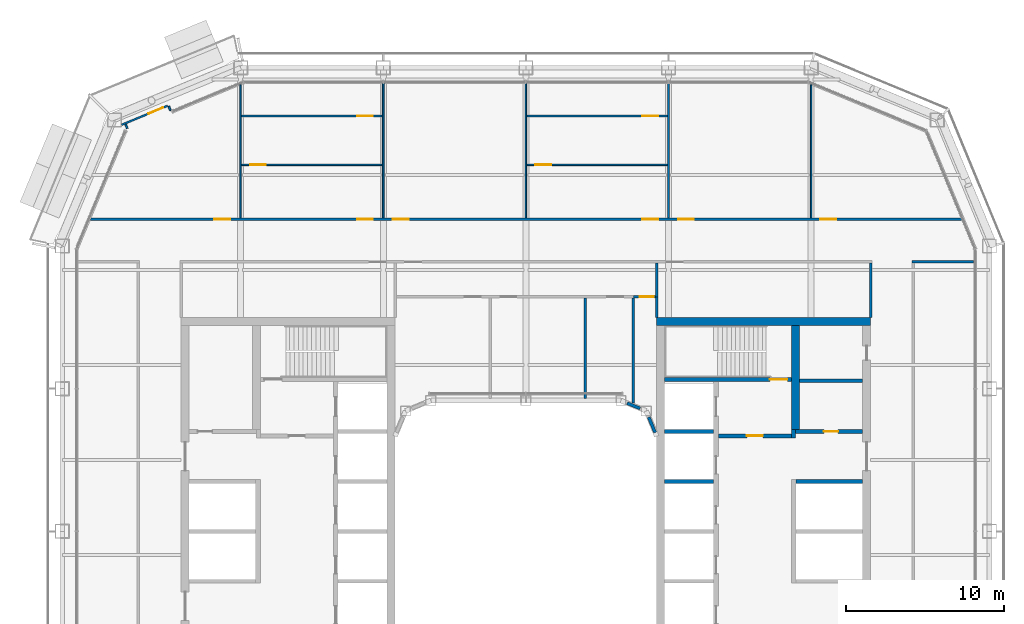
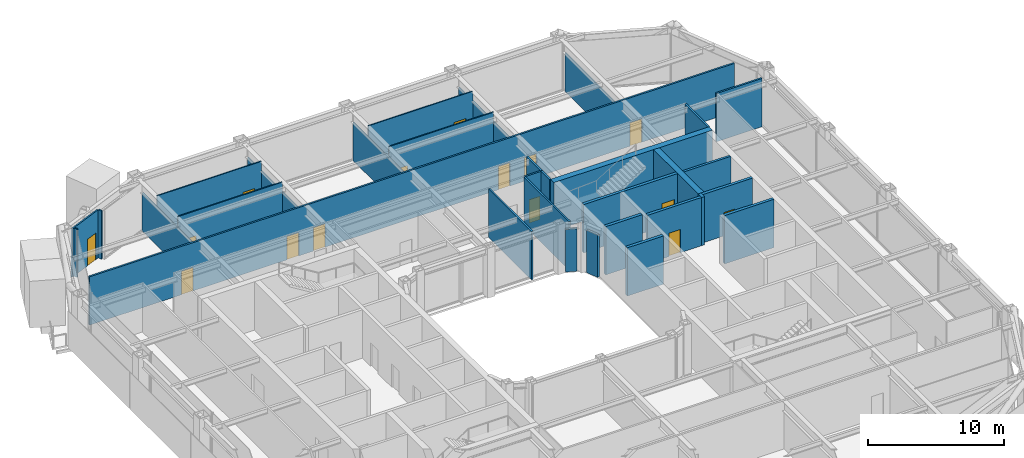
# One storey, part 14 of 23: 32 walls, 15 doors, 15 openings.
"""IFC4 building model written with IfcOpenShell, lengths in metres."""

from ifc_helpers import new_model, si_unit, direction, frame, frame_2d, origin, place, context, subcontext, project, spatial, rectangle, extrude, material, layer, layer_set, type_object, element, fill, save


model = new_model("IFC4")

# Units and contexts
model_context = context("Model", 3, precision=1e-05, world=origin(), true_north=direction((0.0, 1.0)))
body_context = subcontext(model_context, "Body", "Model", "MODEL_VIEW")
ifc_project = project(units=[si_unit("LENGTHUNIT", "METRE"), si_unit("AREAUNIT", "SQUARE_METRE"), si_unit("VOLUMEUNIT", "CUBIC_METRE"), si_unit("PLANEANGLEUNIT", "RADIAN"), si_unit("MASSUNIT", "GRAM", prefix="KILO")], contexts=[model_context])

# Site, building, storey
site_placement = place(None, origin())
site = spatial("IfcSite", under=ifc_project, at=site_placement, CompositionType="ELEMENT")
building_placement = place(site_placement, origin())
building = spatial("IfcBuilding", under=site, at=building_placement, Name="Siwar Civic Tower", CompositionType="ELEMENT")
storey_placement = place(building_placement, frame((0.0, 0.0, 154.199951171875)))
storey = spatial("IfcBuildingStorey", under=building, at=storey_placement, Name="L33", CompositionType="ELEMENT", Elevation=154.199951171875)

# Wall, opening, door
ifc_material_1 = material(Name="Gypsum board on steel studs", Category="steel")
ifc_layer_1 = layer(ifc_material_1, 0.14990234375)
ifc_layer_set_1 = layer_set([ifc_layer_1], Name="Gypsum board on steel studs")
wall_type_1 = type_object("IfcWallType", Name="COMPARTMENT PARTITION 150 EI 60", PredefinedType="PARTITIONING", material=ifc_layer_set_1)
wall_1_placement = place(storey_placement, frame((6.780029296875, 14.800048828125, 0.0), z_axis=(0.0, 0.0, 1.0), x_axis=(1.0, 0.0, 0.0)))
wall_1 = element("IfcWall", 1, at=wall_1_placement, inside=storey, type_object=wall_type_1, Name="L33/wall/P09", PredefinedType="PARTITIONING", context=body_context, shape_type="SweptSolid", body=[
    extrude(rectangle(XDim=1.39501953125, YDim=0.14990234375, at=frame_2d((0.697509765625, 0.0))), origin(), (0.0, 0.0, 1.0), 4.35009765625),
])
opening_1_placement = place(wall_1_placement, frame((0.39990234375, 0.0, 0.0)))
opening_1 = element("IfcOpeningElement", 2, at=opening_1_placement, cuts=wall_1, Name="Opening D4", PredefinedType="OPENING", context=body_context, shape_type="SweptSolid", body=[
    extrude(rectangle(XDim=0.89990234375, YDim=2.10009765625, at=frame_2d((0.449951171875, 1.050048828125))), frame((0.0, 0.0849609375, 0.0), z_axis=(0.0, -1.0, 0.0), x_axis=(1.0, 0.0, 0.0)), (0.0, 0.0, 1.0), 0.169921875),
])
ifc_material_2 = material(Name="Timber, painted", Category="wood")
door_type_1 = type_object("IfcDoorType", Name="DOOR 900 X 2100 FD60", OperationType="SINGLE_SWING_LEFT", PredefinedType="DOOR", material=ifc_material_2)
door_1_placement = place(opening_1_placement, origin())
door_1 = element("IfcDoor", 3, at=door_1_placement, inside=storey, type_object=door_type_1, Name="L33-D25", OperationType="SINGLE_SWING_LEFT", OverallHeight=2.10009765625, OverallWidth=0.89990234375, PredefinedType="DOOR", context=body_context, shape_type="SweptSolid", body=[
    extrude(rectangle(XDim=0.89990234375, YDim=2.10009765625, at=frame_2d((0.449951171875, 1.050048828125))), frame((0.0, 0.02490234375, 0.0), z_axis=(0.0, -1.0, 0.0), x_axis=(1.0, 0.0, 0.0)), (0.0, 0.0, 1.0), 0.050048828125),
])
fill(opening_1, door_1)

# Walls
wall_2_placement = place(storey_placement, frame((6.780029296875, 8.0869140625, 0.0), z_axis=(0.0, 0.0, 1.0), x_axis=(0.0, 1.0, 0.0)))
element("IfcWall", 4, at=wall_2_placement, inside=storey, type_object=wall_type_1, Name="L33/wall/P33", PredefinedType="PARTITIONING", context=body_context, shape_type="SweptSolid", body=[
    extrude(rectangle(XDim=6.63818359375, YDim=0.14990234375, at=frame_2d((3.319091796875, 0.0))), origin(), (0.0, 0.0, 1.0), 4.35009765625),
])
wall_3_placement = place(storey_placement, frame((8.25, 13.5, 0.0), z_axis=(0.0, 0.0, 1.0), x_axis=(0.0, 1.0, 0.0)))
element("IfcWall", 5, at=wall_3_placement, inside=storey, type_object=wall_type_1, Name="L33/wall/P36", PredefinedType="PARTITIONING", context=body_context, shape_type="SweptSolid", body=[
    extrude(rectangle(XDim=1.300048828125, YDim=0.14990234375, at=frame_2d((0.64990234375, 0.0))), origin(), (0.0, 0.0, 1.0), 4.35009765625),
])
ifc_material_3 = material(Name="Gypsum board on steel studs", Category="steel")
ifc_layer_2 = layer(ifc_material_3, 0.199951171875)
ifc_layer_set_2 = layer_set([ifc_layer_2], Name="Gypsum board on steel studs")
wall_type_2 = type_object("IfcWallType", Name="CORE-PARTITION-200", PredefinedType="PARTITIONING", material=ifc_layer_set_2)
wall_4_placement = place(storey_placement, frame((17.25, 9.5, 0.0), z_axis=(0.0, 0.0, 1.0), x_axis=(1.0, 0.0, 0.0)))
element("IfcWall", 6, at=wall_4_placement, inside=storey, type_object=wall_type_2, Name="Core partition E", PredefinedType="PARTITIONING", context=body_context, shape_type="SweptSolid", body=[
    extrude(rectangle(XDim=4.0, YDim=0.199951171875, at=frame_2d((2.0, 0.0))), origin(), (0.0, 0.0, 1.0), 4.35009765625),
])

# Wall, opening, door
ifc_material_4 = material(Name="Concrete C60/75", Category="concrete")
ifc_layer_3 = layer(ifc_material_4, 0.25)
ifc_layer_set_3 = layer_set([ifc_layer_3], Name="Concrete C60/75")
wall_type_3 = type_object("IfcWallType", Name="CORE-WALL-RC250", PredefinedType="SHEAR", material=ifc_layer_set_3)
wall_5_placement = place(storey_placement, frame((12.14990234375, 6.02490234375, 0.0), z_axis=(0.0, 0.0, 1.0), x_axis=(1.0, 0.0, 0.0)))
wall_5 = element("IfcWall", 7, at=wall_5_placement, inside=storey, type_object=wall_type_3, Name="Core wall E", PredefinedType="SHEAR", context=body_context, shape_type="SweptSolid", body=[
    extrude(rectangle(XDim=4.60009765625, YDim=0.25, at=frame_2d((2.300048828125, 0.0))), origin(), (0.0, 0.0, 1.0), 4.35009765625),
])
opening_2_placement = place(wall_5_placement, frame((1.800048828125, 0.0, 0.0)))
opening_2 = element("IfcOpeningElement", 8, at=opening_2_placement, cuts=wall_5, Name="Opening L33-CE01", PredefinedType="OPENING", context=body_context, shape_type="SweptSolid", body=[
    extrude(rectangle(XDim=1.0, YDim=2.10009765625, at=frame_2d((0.5, 1.050048828125))), frame((0.0, 0.135009765625, 0.0), z_axis=(0.0, -1.0, 0.0), x_axis=(1.0, 0.0, 0.0)), (0.0, 0.0, 1.0), 0.27001953125),
])
ifc_material_5 = material(Name="Steel door leaf", Category="steel")
door_type_2 = type_object("IfcDoorType", Name="CORE-DOOR-FD30S", OperationType="SINGLE_SWING_LEFT", PredefinedType="DOOR", material=ifc_material_5)
door_2_placement = place(opening_2_placement, origin())
door_2 = element("IfcDoor", 9, at=door_2_placement, inside=storey, type_object=door_type_2, Name="Firefighting lobby door L33-CE01", OperationType="SINGLE_SWING_RIGHT", OverallHeight=2.10009765625, OverallWidth=1.0, PredefinedType="DOOR", context=body_context, shape_type="SweptSolid", body=[
    extrude(rectangle(XDim=1.0, YDim=2.10009765625, at=frame_2d((0.5, 1.050048828125))), frame((0.0, 0.02490234375, 0.0), z_axis=(0.0, -1.0, 0.0), x_axis=(1.0, 0.0, 0.0)), (0.0, 0.0, 1.0), 0.050048828125),
])
fill(opening_2, door_2)

# Wall
wall_6_placement = place(storey_placement, frame((16.875, 5.89990234375, 0.0), z_axis=(0.0, 0.0, 1.0), x_axis=(0.0, 1.0, 0.0)))
element("IfcWall", 10, at=wall_6_placement, inside=storey, type_object=wall_type_3, Name="Core wall E", PredefinedType="SHEAR", context=body_context, shape_type="SweptSolid", body=[
    extrude(rectangle(XDim=0.525146484375, YDim=0.25, at=frame_2d((0.2626953125, 0.0))), origin(), (0.0, 0.0, 1.0), 4.35009765625),
])

# Wall, opening, door
wall_7_placement = place(storey_placement, frame((17.0, 6.300048828125, 0.0), z_axis=(0.0, 0.0, 1.0), x_axis=(1.0, 0.0, 0.0)))
wall_7 = element("IfcWall", 11, at=wall_7_placement, inside=storey, type_object=wall_type_3, Name="Core wall E", PredefinedType="SHEAR", context=body_context, shape_type="SweptSolid", body=[
    extrude(rectangle(XDim=4.25, YDim=0.25, at=frame_2d((2.125, 0.0))), origin(), (0.0, 0.0, 1.0), 4.35009765625),
])
opening_3_placement = place(wall_7_placement, frame((1.800048828125, 0.0, 0.0)))
opening_3 = element("IfcOpeningElement", 12, at=opening_3_placement, cuts=wall_7, Name="Opening L33-CE13", PredefinedType="OPENING", context=body_context, shape_type="SweptSolid", body=[
    extrude(rectangle(XDim=0.89990234375, YDim=2.10009765625, at=frame_2d((0.449951171875, 1.050048828125))), frame((0.0, 0.135009765625, 0.0), z_axis=(0.0, -1.0, 0.0), x_axis=(1.0, 0.0, 0.0)), (0.0, 0.0, 1.0), 0.27001953125),
])
ifc_material_6 = material(Name="Steel door leaf", Category="steel")
door_type_3 = type_object("IfcDoorType", Name="CORE-DOOR-ROOM", OperationType="SINGLE_SWING_LEFT", PredefinedType="DOOR", material=ifc_material_6)
door_3_placement = place(opening_3_placement, origin())
door_3 = element("IfcDoor", 13, at=door_3_placement, inside=storey, type_object=door_type_3, Name="Core room door L33-CE13", OperationType="SINGLE_SWING_RIGHT", OverallHeight=2.10009765625, OverallWidth=0.89990234375, PredefinedType="DOOR", context=body_context, shape_type="SweptSolid", body=[
    extrude(rectangle(XDim=0.89990234375, YDim=2.10009765625, at=frame_2d((0.449951171875, 1.050048828125))), frame((0.0, 0.02490234375, 0.0), z_axis=(0.0, -1.0, 0.0), x_axis=(1.0, 0.0, 0.0)), (0.0, 0.0, 1.0), 0.050048828125),
])
fill(opening_3, door_3)

# Walls
wall_8_placement = place(storey_placement, frame((17.050048828125, 3.14990234375, 0.0), z_axis=(0.0, 0.0, 1.0), x_axis=(1.0, 0.0, 0.0)))
element("IfcWall", 14, at=wall_8_placement, inside=storey, type_object=wall_type_3, Name="Core wall E", PredefinedType="SHEAR", context=body_context, shape_type="SweptSolid", body=[
    extrude(rectangle(XDim=4.199951171875, YDim=0.25, at=frame_2d((2.10009765625, 0.0))), origin(), (0.0, 0.0, 1.0), 4.35009765625),
])
for number, where, z_axis, x_axis, name in (
    (15, (8.75, 3.14990234375, 0.0), (0.0, 0.0, 1.0), (1.0, 0.0, 0.0), "Core wall E"),
    (16, (8.75, 6.300048828125, 0.0), (0.0, 0.0, 1.0), (1.0, 0.0, 0.0), "Core wall E"),
):
    element("IfcWall", number, at=place(storey_placement, frame(where, z_axis=z_axis, x_axis=x_axis)), inside=storey, type_object=wall_type_3, Name=name, PredefinedType="SHEAR", context=body_context, shape_type="SweptSolid", body=[
        extrude(rectangle(XDim=3.10009765625, YDim=0.25, at=frame_2d((1.550048828125, 0.0))), origin(), (0.0, 0.0, 1.0), 4.35009765625),
    ])

# Wall, opening, door
wall_9_placement = place(storey_placement, frame((8.75, 9.574951171875, 0.0), z_axis=(0.0, 0.0, 1.0), x_axis=(1.0, 0.0, 0.0)))
wall_9 = element("IfcWall", 17, at=wall_9_placement, inside=storey, type_object=wall_type_3, Name="Core wall E", PredefinedType="SHEAR", context=body_context, shape_type="SweptSolid", body=[
    extrude(rectangle(XDim=8.0, YDim=0.25, at=frame_2d((4.0, 0.0))), origin(), (0.0, 0.0, 1.0), 4.35009765625),
])
opening_4_placement = place(wall_9_placement, frame((6.64990234375, 0.0, 0.0)))
opening_4 = element("IfcOpeningElement", 18, at=opening_4_placement, cuts=wall_9, Name="Opening L33-CE03", PredefinedType="OPENING", context=body_context, shape_type="SweptSolid", body=[
    extrude(rectangle(XDim=1.10009765625, YDim=2.10009765625, at=frame_2d((0.550048828125, 1.050048828125))), frame((0.0, 0.135009765625, 0.0), z_axis=(0.0, -1.0, 0.0), x_axis=(1.0, 0.0, 0.0)), (0.0, 0.0, 1.0), 0.27001953125),
])
ifc_material_7 = material(Name="Steel door leaf", Category="steel")
door_type_4 = type_object("IfcDoorType", Name="CORE-DOOR-FD60S", OperationType="SINGLE_SWING_LEFT", PredefinedType="DOOR", material=ifc_material_7)
door_4_placement = place(opening_4_placement, origin())
door_4 = element("IfcDoor", 19, at=door_4_placement, inside=storey, type_object=door_type_4, Name="Stair door L33-CE03", OperationType="SINGLE_SWING_LEFT", OverallHeight=2.10009765625, OverallWidth=1.10009765625, PredefinedType="DOOR", context=body_context, shape_type="SweptSolid", body=[
    extrude(rectangle(XDim=1.10009765625, YDim=2.10009765625, at=frame_2d((0.550048828125, 1.050048828125))), frame((0.0, 0.02490234375, 0.0), z_axis=(0.0, -1.0, 0.0), x_axis=(1.0, 0.0, 0.0)), (0.0, 0.0, 1.0), 0.050048828125),
])
fill(opening_4, door_4)

# Walls
ifc_material_8 = material(Name="Concrete C60/75", Category="concrete")
ifc_layer_4 = layer(ifc_material_8, 0.5)
ifc_layer_set_4 = layer_set([ifc_layer_4], Name="Concrete C60/75")
wall_type_4 = type_object("IfcWallType", Name="CORE-WALL-RC500", PredefinedType="SHEAR", material=ifc_layer_set_4)
wall_10_placement = place(storey_placement, frame((17.0, 6.425048828125, 0.0), z_axis=(0.0, 0.0, 1.0), x_axis=(0.0, 1.0, 0.0)))
element("IfcWall", 20, at=wall_10_placement, inside=storey, type_object=wall_type_4, Name="Core wall E", PredefinedType="SHEAR", context=body_context, shape_type="SweptSolid", body=[
    extrude(rectangle(XDim=6.574951171875, YDim=0.5, at=frame_2d((3.28759765625, 0.0))), origin(), (0.0, 0.0, 1.0), 4.35009765625),
])
wall_11_placement = place(storey_placement, frame((8.25, 13.25, 0.0), z_axis=(0.0, 0.0, 1.0), x_axis=(1.0, 0.0, 0.0)))
element("IfcWall", 21, at=wall_11_placement, inside=storey, type_object=wall_type_4, Name="Core wall E", PredefinedType="SHEAR", context=body_context, shape_type="SweptSolid", body=[
    extrude(rectangle(XDim=13.5, YDim=0.5, at=frame_2d((6.75, 0.0))), origin(), (0.0, 0.0, 1.0), 4.35009765625),
])
ifc_material_9 = material(Name="Gypsum board on steel studs", Category="steel")
ifc_layer_5 = layer(ifc_material_9, 0.14990234375)
ifc_layer_set_5 = layer_set([ifc_layer_5], Name="Gypsum board on steel studs")
wall_type_5 = type_object("IfcWallType", Name="CORRIDOR PARTITION 150 EI 30", PredefinedType="PARTITIONING", material=ifc_layer_set_5)
wall_12_placement = place(storey_placement, frame((24.375, 17.0, 0.0), z_axis=(0.0, 0.0, 1.0), x_axis=(1.0, 0.0, 0.0)))
element("IfcWall", 22, at=wall_12_placement, inside=storey, type_object=wall_type_5, Name="L33/wall/P12", PredefinedType="PARTITIONING", context=body_context, shape_type="SweptSolid", body=[
    extrude(rectangle(XDim=3.885009765625, YDim=0.14990234375, at=frame_2d((1.9423828125, 0.0))), origin(), (0.0, 0.0, 1.0), 4.35009765625),
])

# Wall, openings, doors
wall_13_placement = place(storey_placement, frame((-27.47412109375, 19.699951171875, 0.0), z_axis=(0.0, 0.0, 1.0), x_axis=(1.0, 0.0, 0.0)))
wall_13 = element("IfcWall", 23, at=wall_13_placement, inside=storey, type_object=wall_type_5, Name="L33/wall/P13", PredefinedType="PARTITIONING", context=body_context, shape_type="SweptSolid", body=[
    extrude(rectangle(XDim=54.9482421875, YDim=0.14990234375, at=frame_2d((27.47412109375, 0.0))), origin(), (0.0, 0.0, 1.0), 4.35009765625),
])
opening_5_placement = place(wall_13_placement, frame((16.823974609375, 0.0, 0.0)))
opening_5 = element("IfcOpeningElement", 24, at=opening_5_placement, cuts=wall_13, Name="Opening D1", PredefinedType="OPENING", context=body_context, shape_type="SweptSolid", body=[
    extrude(rectangle(XDim=1.0, YDim=2.10009765625, at=frame_2d((0.5, 1.050048828125))), frame((0.0, 0.0849609375, 0.0), z_axis=(0.0, -1.0, 0.0), x_axis=(1.0, 0.0, 0.0)), (0.0, 0.0, 1.0), 0.169921875),
])
opening_6_placement = place(wall_13_placement, frame((19.073974609375, 0.0, 0.0)))
opening_6 = element("IfcOpeningElement", 25, at=opening_6_placement, cuts=wall_13, Name="Opening D1", PredefinedType="OPENING", context=body_context, shape_type="SweptSolid", body=[
    extrude(rectangle(XDim=1.0, YDim=2.10009765625, at=frame_2d((0.5, 1.050048828125))), frame((0.0, 0.0849609375, 0.0), z_axis=(0.0, -1.0, 0.0), x_axis=(1.0, 0.0, 0.0)), (0.0, 0.0, 1.0), 0.169921875),
])
opening_7_placement = place(wall_13_placement, frame((34.823974609375, 0.0, 0.0)))
opening_7 = element("IfcOpeningElement", 26, at=opening_7_placement, cuts=wall_13, Name="Opening D1", PredefinedType="OPENING", context=body_context, shape_type="SweptSolid", body=[
    extrude(rectangle(XDim=1.0, YDim=2.10009765625, at=frame_2d((0.5, 1.050048828125))), frame((0.0, 0.0849609375, 0.0), z_axis=(0.0, -1.0, 0.0), x_axis=(1.0, 0.0, 0.0)), (0.0, 0.0, 1.0), 0.169921875),
])
opening_8_placement = place(wall_13_placement, frame((37.073974609375, 0.0, 0.0)))
opening_8 = element("IfcOpeningElement", 27, at=opening_8_placement, cuts=wall_13, Name="Opening D1", PredefinedType="OPENING", context=body_context, shape_type="SweptSolid", body=[
    extrude(rectangle(XDim=1.0, YDim=2.10009765625, at=frame_2d((0.5, 1.050048828125))), frame((0.0, 0.0849609375, 0.0), z_axis=(0.0, -1.0, 0.0), x_axis=(1.0, 0.0, 0.0)), (0.0, 0.0, 1.0), 0.169921875),
])
opening_9_placement = place(wall_13_placement, frame((7.823974609375, 0.0, 0.0)))
opening_9 = element("IfcOpeningElement", 28, at=opening_9_placement, cuts=wall_13, Name="Opening D1", PredefinedType="OPENING", context=body_context, shape_type="SweptSolid", body=[
    extrude(rectangle(XDim=1.0, YDim=2.10009765625, at=frame_2d((0.5, 1.050048828125))), frame((0.0, 0.0849609375, 0.0), z_axis=(0.0, -1.0, 0.0), x_axis=(1.0, 0.0, 0.0)), (0.0, 0.0, 1.0), 0.169921875),
])
opening_10_placement = place(wall_13_placement, frame((46.048095703125, 0.0, 0.0)))
opening_10 = element("IfcOpeningElement", 29, at=opening_10_placement, cuts=wall_13, Name="Opening D1", PredefinedType="OPENING", context=body_context, shape_type="SweptSolid", body=[
    extrude(rectangle(XDim=1.0, YDim=2.10009765625, at=frame_2d((0.5, 1.050048828125))), frame((0.0, 0.0849609375, 0.0), z_axis=(0.0, -1.0, 0.0), x_axis=(1.0, 0.0, 0.0)), (0.0, 0.0, 1.0), 0.169921875),
])
ifc_material_10 = material(Name="Timber, painted", Category="wood")
door_type_5 = type_object("IfcDoorType", Name="DOOR 1000 X 2100 FD30", OperationType="SINGLE_SWING_LEFT", PredefinedType="DOOR", material=ifc_material_10)
door_5_placement = place(opening_5_placement, origin())
door_5 = element("IfcDoor", 30, at=door_5_placement, inside=storey, type_object=door_type_5, Name="L33-D01", OperationType="SINGLE_SWING_LEFT", OverallHeight=2.10009765625, OverallWidth=1.0, PredefinedType="DOOR", context=body_context, shape_type="SweptSolid", body=[
    extrude(rectangle(XDim=1.0, YDim=2.10009765625, at=frame_2d((0.5, 1.050048828125))), frame((0.0, 0.02490234375, 0.0), z_axis=(0.0, -1.0, 0.0), x_axis=(1.0, 0.0, 0.0)), (0.0, 0.0, 1.0), 0.050048828125),
])
fill(opening_5, door_5)
door_6_placement = place(opening_6_placement, origin())
door_6 = element("IfcDoor", 31, at=door_6_placement, inside=storey, type_object=door_type_5, Name="L33-D04", OperationType="SINGLE_SWING_RIGHT", OverallHeight=2.10009765625, OverallWidth=1.0, PredefinedType="DOOR", context=body_context, shape_type="SweptSolid", body=[
    extrude(rectangle(XDim=1.0, YDim=2.10009765625, at=frame_2d((0.5, 1.050048828125))), frame((0.0, 0.02490234375, 0.0), z_axis=(0.0, -1.0, 0.0), x_axis=(1.0, 0.0, 0.0)), (0.0, 0.0, 1.0), 0.050048828125),
])
fill(opening_6, door_6)
door_7_placement = place(opening_7_placement, origin())
door_7 = element("IfcDoor", 32, at=door_7_placement, inside=storey, type_object=door_type_5, Name="L33-D05", OperationType="SINGLE_SWING_LEFT", OverallHeight=2.10009765625, OverallWidth=1.0, PredefinedType="DOOR", context=body_context, shape_type="SweptSolid", body=[
    extrude(rectangle(XDim=1.0, YDim=2.10009765625, at=frame_2d((0.5, 1.050048828125))), frame((0.0, 0.02490234375, 0.0), z_axis=(0.0, -1.0, 0.0), x_axis=(1.0, 0.0, 0.0)), (0.0, 0.0, 1.0), 0.050048828125),
])
fill(opening_7, door_7)
door_8_placement = place(opening_8_placement, origin())
door_8 = element("IfcDoor", 33, at=door_8_placement, inside=storey, type_object=door_type_5, Name="L33-D08", OperationType="SINGLE_SWING_RIGHT", OverallHeight=2.10009765625, OverallWidth=1.0, PredefinedType="DOOR", context=body_context, shape_type="SweptSolid", body=[
    extrude(rectangle(XDim=1.0, YDim=2.10009765625, at=frame_2d((0.5, 1.050048828125))), frame((0.0, 0.02490234375, 0.0), z_axis=(0.0, -1.0, 0.0), x_axis=(1.0, 0.0, 0.0)), (0.0, 0.0, 1.0), 0.050048828125),
])
fill(opening_8, door_8)
door_9_placement = place(opening_9_placement, origin())
door_9 = element("IfcDoor", 34, at=door_9_placement, inside=storey, type_object=door_type_5, Name="L33-D15", OperationType="SINGLE_SWING_LEFT", OverallHeight=2.10009765625, OverallWidth=1.0, PredefinedType="DOOR", context=body_context, shape_type="SweptSolid", body=[
    extrude(rectangle(XDim=1.0, YDim=2.10009765625, at=frame_2d((0.5, 1.050048828125))), frame((0.0, 0.02490234375, 0.0), z_axis=(0.0, -1.0, 0.0), x_axis=(1.0, 0.0, 0.0)), (0.0, 0.0, 1.0), 0.050048828125),
])
fill(opening_9, door_9)
door_10_placement = place(opening_10_placement, origin())
door_10 = element("IfcDoor", 35, at=door_10_placement, inside=storey, type_object=door_type_5, Name="L33-D16", OperationType="SINGLE_SWING_RIGHT", OverallHeight=2.10009765625, OverallWidth=1.0, PredefinedType="DOOR", context=body_context, shape_type="SweptSolid", body=[
    extrude(rectangle(XDim=1.0, YDim=2.10009765625, at=frame_2d((0.5, 1.050048828125))), frame((0.0, 0.02490234375, 0.0), z_axis=(0.0, -1.0, 0.0), x_axis=(1.0, 0.0, 0.0)), (0.0, 0.0, 1.0), 0.050048828125),
])
fill(opening_10, door_10)

# Walls
wall_14_placement = place(storey_placement, frame((3.75, 8.3701171875, 0.0), z_axis=(0.0, 0.0, 1.0), x_axis=(0.0, 1.0, 0.0)))
element("IfcWall", 36, at=wall_14_placement, inside=storey, type_object=wall_type_5, Name="L33/wall/P32", PredefinedType="PARTITIONING", context=body_context, shape_type="SweptSolid", body=[
    extrude(rectangle(XDim=6.35498046875, YDim=0.14990234375, at=frame_2d((3.177490234375, 0.0))), origin(), (0.0, 0.0, 1.0), 4.35009765625),
])
wall_15_placement = place(storey_placement, frame((8.25, 14.800048828125, 0.0), z_axis=(0.0, 0.0, 1.0), x_axis=(0.0, 1.0, 0.0)))
element("IfcWall", 37, at=wall_15_placement, inside=storey, type_object=wall_type_5, Name="L33/wall/P35", PredefinedType="PARTITIONING", context=body_context, shape_type="SweptSolid", body=[
    extrude(rectangle(XDim=2.125, YDim=0.14990234375, at=frame_2d((1.0625, 0.0))), origin(), (0.0, 0.0, 1.0), 4.35009765625),
])
wall_16_placement = place(storey_placement, frame((21.75, 13.5, 0.0), z_axis=(0.0, 0.0, 1.0), x_axis=(0.0, 1.0, 0.0)))
element("IfcWall", 38, at=wall_16_placement, inside=storey, type_object=wall_type_5, Name="L33/wall/P42", PredefinedType="PARTITIONING", context=body_context, shape_type="SweptSolid", body=[
    extrude(rectangle(XDim=3.425048828125, YDim=0.14990234375, at=frame_2d((1.71240234375, 0.0))), origin(), (0.0, 0.0, 1.0), 4.35009765625),
])
ifc_material_11 = material(Name="Aluminium clad insulated panel", Category="aluminium")
ifc_layer_6 = layer(ifc_material_11, 0.1201171875)
ifc_layer_set_6 = layer_set([ifc_layer_6], Name="Aluminium clad insulated panel")
wall_type_6 = type_object("IfcWallType", Name="ENV-WALL-BAL", PredefinedType="STANDARD", material=ifc_layer_set_6)
for number, where, z_axis, x_axis, name in (
    (39, (-22.42529296875, 26.551025390625, 0.0), (0.0, 0.0, 1.0), (-0.382103986862, 0.924119333865, 0.0), "Balcony door wall return NW1"),
    (40, (-25.153076171875, 25.421142578125, 0.0), (0.0, 0.0, 1.0), (-0.383120166156, 0.923698510492, 0.0), "Balcony door wall return NW1"),
):
    element("IfcWall", number, at=place(storey_placement, frame(where, z_axis=z_axis, x_axis=x_axis)), inside=storey, type_object=wall_type_6, Name=name, PredefinedType="STANDARD", context=body_context, shape_type="SweptSolid", body=[
        extrude(rectangle(XDim=0.2900390625, YDim=0.1201171875, at=frame_2d((0.14501953125, 0.0))), origin(), (0.0, 0.0, 1.0), 4.35009765625),
    ])

# Wall, opening, door
wall_17_placement = place(storey_placement, frame((-22.614501953125, 26.8515625, 0.0), z_axis=(0.0, 0.0, 1.0), x_axis=(-0.923876066186, -0.382691800707, 0.0)))
wall_17 = element("IfcWall", 41, at=wall_17_placement, inside=storey, type_object=wall_type_6, Name="Balcony door wall NW1", PredefinedType="STANDARD", context=body_context, shape_type="SweptSolid", body=[
    extrude(rectangle(XDim=3.12841796875, YDim=0.1201171875, at=frame_2d((1.564208984375, 0.0))), origin(), (0.0, 0.0, 1.0), 4.35009765625),
])
opening_11_placement = place(wall_17_placement, frame((0.300048828125, 0.0, 0.0)))
opening_11 = element("IfcOpeningElement", 42, at=opening_11_placement, cuts=wall_17, Name="Opening D-BAL", PredefinedType="OPENING", context=body_context, shape_type="SweptSolid", body=[
    extrude(rectangle(XDim=1.0, YDim=2.39990234375, at=frame_2d((0.5, 1.199951171875))), frame((0.0, 0.070068359375, 0.0), z_axis=(0.0, -1.0, 0.0), x_axis=(1.0, 0.0, 0.0)), (0.0, 0.0, 1.0), 0.14013671875),
])
ifc_material_12 = material(Name="Aluminium and glass", Category="aluminium")
door_type_6 = type_object("IfcDoorType", Name="ENV-DOOR-BAL", OperationType="SINGLE_SWING_LEFT", PredefinedType="DOOR", material=ifc_material_12)
door_11_placement = place(opening_11_placement, origin())
door_11 = element("IfcDoor", 43, at=door_11_placement, inside=storey, type_object=door_type_6, Name="Balcony door NW", OperationType="SINGLE_SWING_LEFT", OverallHeight=2.39990234375, OverallWidth=1.0, PredefinedType="DOOR", context=body_context, shape_type="SweptSolid", body=[
    extrude(rectangle(XDim=1.0, YDim=2.39990234375, at=frame_2d((0.5, 1.199951171875))), frame((0.0, 0.02490234375, 0.0), z_axis=(0.0, -1.0, 0.0), x_axis=(1.0, 0.0, 0.0)), (0.0, 0.0, 1.0), 0.050048828125),
])
fill(opening_11, door_11)

# Walls
ifc_material_13 = material(Name="Aluminium clad insulated panel", Category="aluminium")
ifc_layer_7 = layer(ifc_material_13, 0.199951171875)
ifc_layer_set_7 = layer_set([ifc_layer_7], Name="Aluminium clad insulated panel")
wall_type_7 = type_object("IfcWallType", Name="ENV-WALL-WELL", PredefinedType="STANDARD", material=ifc_layer_set_7)
wall_18_placement = place(storey_placement, frame((8.154296875, 6.23095703125, 0.0), z_axis=(0.0, 0.0, 1.0), x_axis=(-0.382694858887, 0.923874799408, 0.0)))
element("IfcWall", 44, at=wall_18_placement, inside=storey, type_object=wall_type_7, Name="Light well corner wall NE1", PredefinedType="STANDARD", context=body_context, shape_type="SweptSolid", body=[
    extrude(rectangle(XDim=1.047607421875, YDim=0.199951171875, at=frame_2d((0.52392578125, 0.0))), origin(), (0.0, 0.0, 1.0), 3.825927734375),
])
wall_19_placement = place(storey_placement, frame((7.19873046875, 7.75341796875, 0.0), z_axis=(0.0, 0.0, 1.0), x_axis=(-0.923894108428, 0.382648241093, 0.0)))
element("IfcWall", 45, at=wall_19_placement, inside=storey, type_object=wall_type_7, Name="Light well corner wall NE2", PredefinedType="STANDARD", context=body_context, shape_type="SweptSolid", body=[
    extrude(rectangle(XDim=0.872802734375, YDim=0.199951171875, at=frame_2d((0.4365234375, 0.0))), origin(), (0.0, 0.0, 1.0), 3.825927734375),
])

# Wall, opening, door
ifc_material_14 = material(Name="Gypsum board on steel studs", Category="steel")
ifc_layer_8 = layer(ifc_material_14, 0.10009765625)
ifc_layer_set_8 = layer_set([ifc_layer_8], Name="Gypsum board on steel studs")
wall_type_8 = type_object("IfcWallType", Name="PARTITION 100 GYPSUM", PredefinedType="PARTITIONING", material=ifc_layer_set_8)
wall_20_placement = place(storey_placement, frame((-17.949951171875, 23.1240234375, 0.0), z_axis=(0.0, 0.0, 1.0), x_axis=(1.0, 0.0, 0.0)))
wall_20 = element("IfcWall", 46, at=wall_20_placement, inside=storey, type_object=wall_type_8, Name="L33/wall/P14", PredefinedType="PARTITIONING", context=body_context, shape_type="SweptSolid", body=[
    extrude(rectangle(XDim=8.89990234375, YDim=0.10009765625, at=frame_2d((4.449951171875, 0.0))), origin(), (0.0, 0.0, 1.0), 4.35009765625),
])
opening_12_placement = place(wall_20_placement, frame((0.550048828125, 0.0, 0.0)))
opening_12 = element("IfcOpeningElement", 47, at=opening_12_placement, cuts=wall_20, Name="Opening D2", PredefinedType="OPENING", context=body_context, shape_type="SweptSolid", body=[
    extrude(rectangle(XDim=1.0, YDim=2.10009765625, at=frame_2d((0.5, 1.050048828125))), frame((0.0, 0.06005859375, 0.0), z_axis=(0.0, -1.0, 0.0), x_axis=(1.0, 0.0, 0.0)), (0.0, 0.0, 1.0), 0.1201171875),
])
ifc_material_15 = material(Name="Timber, painted", Category="wood")
door_type_7 = type_object("IfcDoorType", Name="DOOR 1000 X 2100", OperationType="SINGLE_SWING_LEFT", PredefinedType="DOOR", material=ifc_material_15)
door_12_placement = place(opening_12_placement, origin())
door_12 = element("IfcDoor", 48, at=door_12_placement, inside=storey, type_object=door_type_7, Name="L33-D02", OperationType="SINGLE_SWING_RIGHT", OverallHeight=2.10009765625, OverallWidth=1.0, PredefinedType="DOOR", context=body_context, shape_type="SweptSolid", body=[
    extrude(rectangle(XDim=1.0, YDim=2.10009765625, at=frame_2d((0.5, 1.050048828125))), frame((0.0, 0.02490234375, 0.0), z_axis=(0.0, -1.0, 0.0), x_axis=(1.0, 0.0, 0.0)), (0.0, 0.0, 1.0), 0.050048828125),
])
fill(opening_12, door_12)

wall_21_placement = place(storey_placement, frame((0.050048828125, 23.1240234375, 0.0), z_axis=(0.0, 0.0, 1.0), x_axis=(1.0, 0.0, 0.0)))
wall_21 = element("IfcWall", 49, at=wall_21_placement, inside=storey, type_object=wall_type_8, Name="L33/wall/P15", PredefinedType="PARTITIONING", context=body_context, shape_type="SweptSolid", body=[
    extrude(rectangle(XDim=8.89990234375, YDim=0.10009765625, at=frame_2d((4.449951171875, 0.0))), origin(), (0.0, 0.0, 1.0), 4.35009765625),
])
opening_13_placement = place(wall_21_placement, frame((0.550048828125, 0.0, 0.0)))
opening_13 = element("IfcOpeningElement", 50, at=opening_13_placement, cuts=wall_21, Name="Opening D2", PredefinedType="OPENING", context=body_context, shape_type="SweptSolid", body=[
    extrude(rectangle(XDim=1.0, YDim=2.10009765625, at=frame_2d((0.5, 1.050048828125))), frame((0.0, 0.06005859375, 0.0), z_axis=(0.0, -1.0, 0.0), x_axis=(1.0, 0.0, 0.0)), (0.0, 0.0, 1.0), 0.1201171875),
])
door_13_placement = place(opening_13_placement, origin())
door_13 = element("IfcDoor", 51, at=door_13_placement, inside=storey, type_object=door_type_7, Name="L33-D06", OperationType="SINGLE_SWING_RIGHT", OverallHeight=2.10009765625, OverallWidth=1.0, PredefinedType="DOOR", context=body_context, shape_type="SweptSolid", body=[
    extrude(rectangle(XDim=1.0, YDim=2.10009765625, at=frame_2d((0.5, 1.050048828125))), frame((0.0, 0.02490234375, 0.0), z_axis=(0.0, -1.0, 0.0), x_axis=(1.0, 0.0, 0.0)), (0.0, 0.0, 1.0), 0.050048828125),
])
fill(opening_13, door_13)

wall_22_placement = place(storey_placement, frame((-17.949951171875, 26.2060546875, 0.0), z_axis=(0.0, 0.0, 1.0), x_axis=(1.0, 0.0, 0.0)))
wall_22 = element("IfcWall", 52, at=wall_22_placement, inside=storey, type_object=wall_type_8, Name="L33/wall/P16", PredefinedType="PARTITIONING", context=body_context, shape_type="SweptSolid", body=[
    extrude(rectangle(XDim=8.89990234375, YDim=0.10009765625, at=frame_2d((4.449951171875, 0.0))), origin(), (0.0, 0.0, 1.0), 4.35009765625),
])
opening_14_placement = place(wall_22_placement, frame((7.300048828125, 0.0, 0.0)))
opening_14 = element("IfcOpeningElement", 53, at=opening_14_placement, cuts=wall_22, Name="Opening D2", PredefinedType="OPENING", context=body_context, shape_type="SweptSolid", body=[
    extrude(rectangle(XDim=1.0, YDim=2.10009765625, at=frame_2d((0.5, 1.050048828125))), frame((0.0, 0.06005859375, 0.0), z_axis=(0.0, -1.0, 0.0), x_axis=(1.0, 0.0, 0.0)), (0.0, 0.0, 1.0), 0.1201171875),
])
door_14_placement = place(opening_14_placement, origin())
door_14 = element("IfcDoor", 54, at=door_14_placement, inside=storey, type_object=door_type_7, Name="L33-D03", OperationType="SINGLE_SWING_LEFT", OverallHeight=2.10009765625, OverallWidth=1.0, PredefinedType="DOOR", context=body_context, shape_type="SweptSolid", body=[
    extrude(rectangle(XDim=1.0, YDim=2.10009765625, at=frame_2d((0.5, 1.050048828125))), frame((0.0, 0.02490234375, 0.0), z_axis=(0.0, -1.0, 0.0), x_axis=(1.0, 0.0, 0.0)), (0.0, 0.0, 1.0), 0.050048828125),
])
fill(opening_14, door_14)

wall_23_placement = place(storey_placement, frame((0.050048828125, 26.2060546875, 0.0), z_axis=(0.0, 0.0, 1.0), x_axis=(1.0, 0.0, 0.0)))
wall_23 = element("IfcWall", 55, at=wall_23_placement, inside=storey, type_object=wall_type_8, Name="L33/wall/P17", PredefinedType="PARTITIONING", context=body_context, shape_type="SweptSolid", body=[
    extrude(rectangle(XDim=8.89990234375, YDim=0.10009765625, at=frame_2d((4.449951171875, 0.0))), origin(), (0.0, 0.0, 1.0), 4.35009765625),
])
opening_15_placement = place(wall_23_placement, frame((7.300048828125, 0.0, 0.0)))
opening_15 = element("IfcOpeningElement", 56, at=opening_15_placement, cuts=wall_23, Name="Opening D2", PredefinedType="OPENING", context=body_context, shape_type="SweptSolid", body=[
    extrude(rectangle(XDim=1.0, YDim=2.10009765625, at=frame_2d((0.5, 1.050048828125))), frame((0.0, 0.06005859375, 0.0), z_axis=(0.0, -1.0, 0.0), x_axis=(1.0, 0.0, 0.0)), (0.0, 0.0, 1.0), 0.1201171875),
])
door_15_placement = place(opening_15_placement, origin())
door_15 = element("IfcDoor", 57, at=door_15_placement, inside=storey, type_object=door_type_7, Name="L33-D07", OperationType="SINGLE_SWING_LEFT", OverallHeight=2.10009765625, OverallWidth=1.0, PredefinedType="DOOR", context=body_context, shape_type="SweptSolid", body=[
    extrude(rectangle(XDim=1.0, YDim=2.10009765625, at=frame_2d((0.5, 1.050048828125))), frame((0.0, 0.02490234375, 0.0), z_axis=(0.0, -1.0, 0.0), x_axis=(1.0, 0.0, 0.0)), (0.0, 0.0, 1.0), 0.050048828125),
])
fill(opening_15, door_15)

# Walls
wall_24_placement = place(storey_placement, frame((-18.0, 19.77490234375, 0.0), z_axis=(0.0, 0.0, 1.0), x_axis=(0.0, 1.0, 0.0)))
element("IfcWall", 58, at=wall_24_placement, inside=storey, type_object=wall_type_8, Name="L33/wall/P23", PredefinedType="PARTITIONING", context=body_context, shape_type="SweptSolid", body=[
    extrude(rectangle(XDim=8.403076171875, YDim=0.10009765625, at=frame_2d((4.20166015625, 0.0))), origin(), (0.0, 0.0, 1.0), 3.449951171875),
])
for number, where, z_axis, x_axis, name in (
    (59, (-9.0, 19.77490234375, 0.0), (0.0, 0.0, 1.0), (0.0, 1.0, 0.0), "L33/wall/P25"),
    (60, (0.0, 19.77490234375, 0.0), (0.0, 0.0, 1.0), (0.0, 1.0, 0.0), "L33/wall/P31"),
    (61, (9.0, 19.77490234375, 0.0), (0.0, 0.0, 1.0), (0.0, 1.0, 0.0), "L33/wall/P38"),
):
    element("IfcWall", number, at=place(storey_placement, frame(where, z_axis=z_axis, x_axis=x_axis)), inside=storey, type_object=wall_type_8, Name=name, PredefinedType="PARTITIONING", context=body_context, shape_type="SweptSolid", body=[
        extrude(rectangle(XDim=8.485107421875, YDim=0.10009765625, at=frame_2d((4.24267578125, 0.0))), origin(), (0.0, 0.0, 1.0), 3.449951171875),
    ])
wall_25_placement = place(storey_placement, frame((18.0, 19.77490234375, 0.0), z_axis=(0.0, 0.0, 1.0), x_axis=(0.0, 1.0, 0.0)))
element("IfcWall", 62, at=wall_25_placement, inside=storey, type_object=wall_type_8, Name="L33/wall/P40", PredefinedType="PARTITIONING", context=body_context, shape_type="SweptSolid", body=[
    extrude(rectangle(XDim=8.403076171875, YDim=0.10009765625, at=frame_2d((4.20166015625, 0.0))), origin(), (0.0, 0.0, 1.0), 3.449951171875),
])

save(model, "model.ifc")
